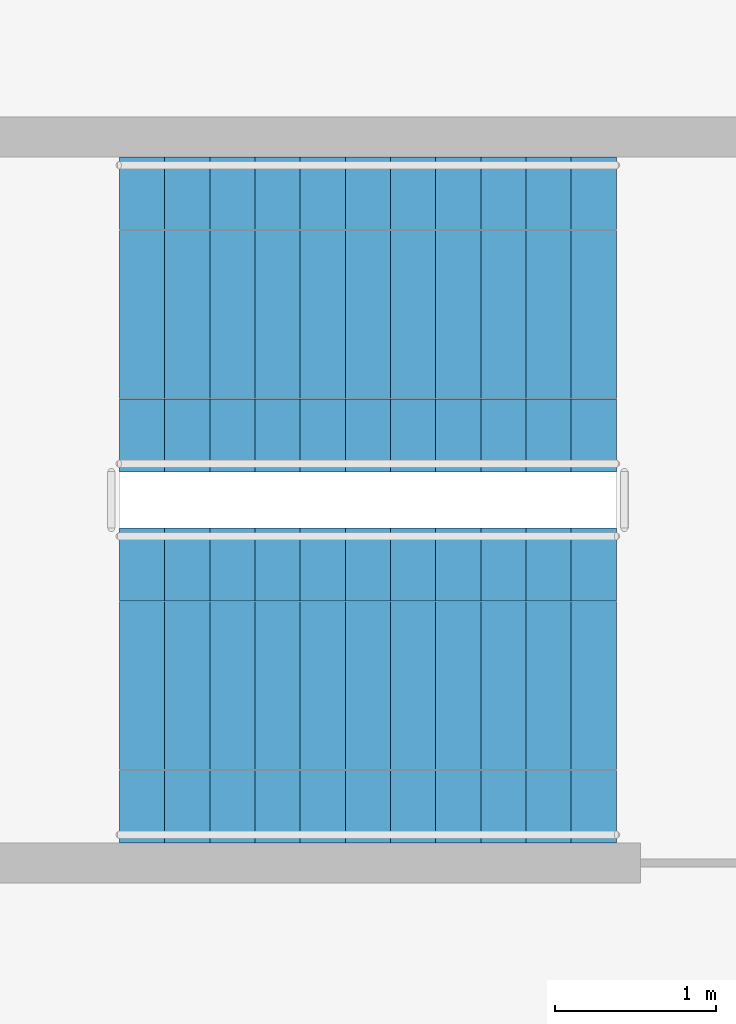
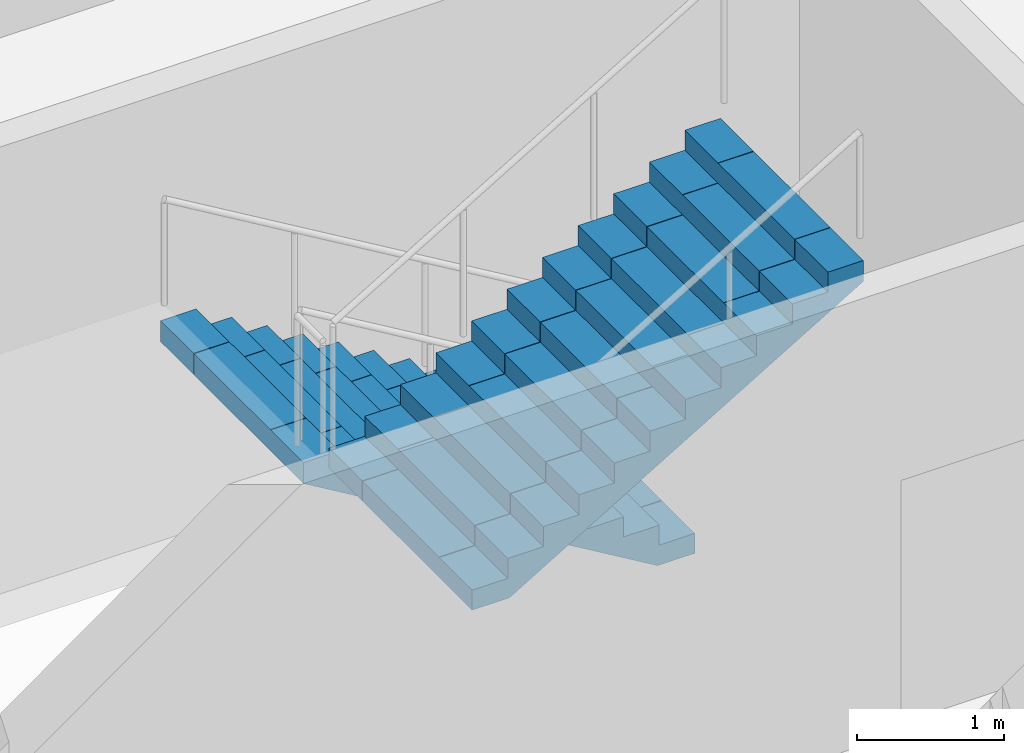
# One storey, part 13 of 15: 2 stair flights, 1 element without a shape of its own.
"""IFC4 building model written with IfcOpenShell, lengths in metres."""

from ifc_helpers import new_model, si_unit, direction, frame, origin, place, context, subcontext, project, spatial, polyline, outline, extrude, material, type_object, element, aggregate, save


model = new_model("IFC4")

# Units and contexts
model_context = context("Model", 3, precision=1e-05, world=origin(), true_north=direction((0.0, 1.0)))
body_context = subcontext(model_context, "Body", "Model", "MODEL_VIEW")
ifc_project = project(units=[si_unit("LENGTHUNIT", "METRE"), si_unit("AREAUNIT", "SQUARE_METRE"), si_unit("VOLUMEUNIT", "CUBIC_METRE"), si_unit("PLANEANGLEUNIT", "RADIAN"), si_unit("MASSUNIT", "GRAM", prefix="KILO")], contexts=[model_context])

# Site, building, storey
site_placement = place(None, origin())
site = spatial("IfcSite", under=ifc_project, at=site_placement, CompositionType="ELEMENT")
building_placement = place(site_placement, origin())
building = spatial("IfcBuilding", under=site, at=building_placement, Name="Corbelhall Arena Tower", CompositionType="ELEMENT")
storey_placement = place(building_placement, frame((0.0, 0.0, 204.0)))
storey = spatial("IfcBuildingStorey", under=building, at=storey_placement, Name="L42", CompositionType="ELEMENT", Elevation=204.0)

# Stair, stair flights
ifc_material = material(Name="Concrete C40/50", Category="concrete")
stair_type = type_object("IfcStairType", Name="IN-ST-TOWER", PredefinedType="HALF_TURN_STAIR", material=ifc_material)
stair_placement = place(storey_placement, origin())
stair = element("IfcStair", 1, at=stair_placement, inside=storey, type_object=stair_type, Name="L42 Exit stair ST3", PredefinedType="HALF_TURN_STAIR")
stair_flight_type = type_object("IfcStairFlightType", Name="IN-SFL-RC", PredefinedType="STRAIGHT", material=ifc_material)
stair_flight_1_placement = place(storey_placement, frame((11.425048828125, 15.699951171875, 0.0), z_axis=(0.0, 0.0, 1.0), x_axis=(-1.0, 0.0, 0.0)))
stair_flight_1 = element("IfcStairFlight", 2, at=stair_flight_1_placement, type_object=stair_flight_type, Name="ST3 flight 1", NumberOfRisers=12, NumberOfTreads=11, PredefinedType="STRAIGHT", RiserHeight=0.166666667, TreadLength=0.28, context=body_context, shape_type="SweptSolid", body=[
    extrude(outline(polyline([(0.0, 0.0), (0.0, 0.166748046875), (0.280029296875, 0.166748046875), (0.280029296875, 0.333251953125), (0.56005859375, 0.333251953125), (0.56005859375, 0.5), (0.840087890625, 0.5), (0.840087890625, 0.666748046875), (1.1201171875, 0.666748046875), (1.1201171875, 0.833251953125), (1.39990234375, 0.833251953125), (1.39990234375, 1.0), (1.679931640625, 1.0), (1.679931640625, 1.166748046875), (1.9599609375, 1.166748046875), (1.9599609375, 1.333251953125), (2.239990234375, 1.333251953125), (2.239990234375, 1.5), (2.52001953125, 1.5), (2.52001953125, 1.666748046875), (2.800048828125, 1.666748046875), (2.800048828125, 1.833251953125), (3.080078125, 1.833251953125), (3.080078125, 2.0), (3.080078125, 1.658935546875), (0.29296875, 0.0), (0.0, 0.0)])), frame((0.0, 0.97509765625, 0.0), z_axis=(0.0, -1.0, 0.0), x_axis=(1.0, 0.0, 0.0)), (0.0, 0.0, 1.0), 0.449951171875),
    extrude(outline(polyline([(0.0, 0.0), (0.0, 0.166748046875), (0.280029296875, 0.166748046875), (0.280029296875, 0.333251953125), (0.56005859375, 0.333251953125), (0.56005859375, 0.5), (0.840087890625, 0.5), (0.840087890625, 0.666748046875), (1.1201171875, 0.666748046875), (1.1201171875, 0.833251953125), (1.39990234375, 0.833251953125), (1.39990234375, 1.0), (1.679931640625, 1.0), (1.679931640625, 1.166748046875), (1.9599609375, 1.166748046875), (1.9599609375, 1.333251953125), (2.239990234375, 1.333251953125), (2.239990234375, 1.5), (2.52001953125, 1.5), (2.52001953125, 1.666748046875), (2.800048828125, 1.666748046875), (2.800048828125, 1.833251953125), (3.080078125, 1.833251953125), (3.080078125, 2.0), (3.080078125, 1.658935546875), (0.29296875, 0.0), (0.0, 0.0)])), frame((0.0, 0.52099609375, 0.0), z_axis=(0.0, -1.0, 0.0), x_axis=(1.0, 0.0, 0.0)), (0.0, 0.0, 1.0), 1.0419921875),
    extrude(outline(polyline([(0.0, 0.0), (0.0, 0.166748046875), (0.280029296875, 0.166748046875), (0.280029296875, 0.333251953125), (0.56005859375, 0.333251953125), (0.56005859375, 0.5), (0.840087890625, 0.5), (0.840087890625, 0.666748046875), (1.1201171875, 0.666748046875), (1.1201171875, 0.833251953125), (1.39990234375, 0.833251953125), (1.39990234375, 1.0), (1.679931640625, 1.0), (1.679931640625, 1.166748046875), (1.9599609375, 1.166748046875), (1.9599609375, 1.333251953125), (2.239990234375, 1.333251953125), (2.239990234375, 1.5), (2.52001953125, 1.5), (2.52001953125, 1.666748046875), (2.800048828125, 1.666748046875), (2.800048828125, 1.833251953125), (3.080078125, 1.833251953125), (3.080078125, 2.0), (3.080078125, 1.658935546875), (0.29296875, 0.0), (0.0, 0.0)])), frame((0.0, -0.52490234375, 0.0), z_axis=(0.0, -1.0, 0.0), x_axis=(1.0, 0.0, 0.0)), (0.0, 0.0, 1.0), 0.449951171875),
])
stair_flight_2_placement = place(storey_placement, frame((8.344970703125, 13.39990234375, 2.0), z_axis=(0.0, 0.0, 1.0), x_axis=(1.0, 0.0, 0.0)))
stair_flight_2 = element("IfcStairFlight", 3, at=stair_flight_2_placement, type_object=stair_flight_type, Name="ST3 flight 2", NumberOfRisers=12, NumberOfTreads=11, PredefinedType="STRAIGHT", RiserHeight=0.166666667, TreadLength=0.28, context=body_context, shape_type="SweptSolid", body=[
    extrude(outline(polyline([(0.0, 0.0), (0.0, 0.166748046875), (0.280029296875, 0.166748046875), (0.280029296875, 0.333251953125), (0.56005859375, 0.333251953125), (0.56005859375, 0.5), (0.840087890625, 0.5), (0.840087890625, 0.666748046875), (1.1201171875, 0.666748046875), (1.1201171875, 0.833251953125), (1.39990234375, 0.833251953125), (1.39990234375, 1.0), (1.679931640625, 1.0), (1.679931640625, 1.166748046875), (1.9599609375, 1.166748046875), (1.9599609375, 1.333251953125), (2.239990234375, 1.333251953125), (2.239990234375, 1.5), (2.52001953125, 1.5), (2.52001953125, 1.666748046875), (2.800048828125, 1.666748046875), (2.800048828125, 1.833251953125), (3.080078125, 1.833251953125), (3.080078125, 2.0), (3.080078125, 1.658935546875), (0.29296875, 0.0), (0.0, 0.0)])), frame((0.0, 0.97509765625, 0.0), z_axis=(0.0, -1.0, 0.0), x_axis=(1.0, 0.0, 0.0)), (0.0, 0.0, 1.0), 0.449951171875),
    extrude(outline(polyline([(0.0, 0.0), (0.0, 0.166748046875), (0.280029296875, 0.166748046875), (0.280029296875, 0.333251953125), (0.56005859375, 0.333251953125), (0.56005859375, 0.5), (0.840087890625, 0.5), (0.840087890625, 0.666748046875), (1.1201171875, 0.666748046875), (1.1201171875, 0.833251953125), (1.39990234375, 0.833251953125), (1.39990234375, 1.0), (1.679931640625, 1.0), (1.679931640625, 1.166748046875), (1.9599609375, 1.166748046875), (1.9599609375, 1.333251953125), (2.239990234375, 1.333251953125), (2.239990234375, 1.5), (2.52001953125, 1.5), (2.52001953125, 1.666748046875), (2.800048828125, 1.666748046875), (2.800048828125, 1.833251953125), (3.080078125, 1.833251953125), (3.080078125, 2.0), (3.080078125, 1.658935546875), (0.29296875, 0.0), (0.0, 0.0)])), frame((0.0, 0.52099609375, 0.0), z_axis=(0.0, -1.0, 0.0), x_axis=(1.0, 0.0, 0.0)), (0.0, 0.0, 1.0), 1.0419921875),
    extrude(outline(polyline([(0.0, 0.0), (0.0, 0.166748046875), (0.280029296875, 0.166748046875), (0.280029296875, 0.333251953125), (0.56005859375, 0.333251953125), (0.56005859375, 0.5), (0.840087890625, 0.5), (0.840087890625, 0.666748046875), (1.1201171875, 0.666748046875), (1.1201171875, 0.833251953125), (1.39990234375, 0.833251953125), (1.39990234375, 1.0), (1.679931640625, 1.0), (1.679931640625, 1.166748046875), (1.9599609375, 1.166748046875), (1.9599609375, 1.333251953125), (2.239990234375, 1.333251953125), (2.239990234375, 1.5), (2.52001953125, 1.5), (2.52001953125, 1.666748046875), (2.800048828125, 1.666748046875), (2.800048828125, 1.833251953125), (3.080078125, 1.833251953125), (3.080078125, 2.0), (3.080078125, 1.658935546875), (0.29296875, 0.0), (0.0, 0.0)])), frame((0.0, -0.52490234375, 0.0), z_axis=(0.0, -1.0, 0.0), x_axis=(1.0, 0.0, 0.0)), (0.0, 0.0, 1.0), 0.449951171875),
])
aggregate(stair, [stair_flight_1, stair_flight_2])

save(model, "model.ifc")
